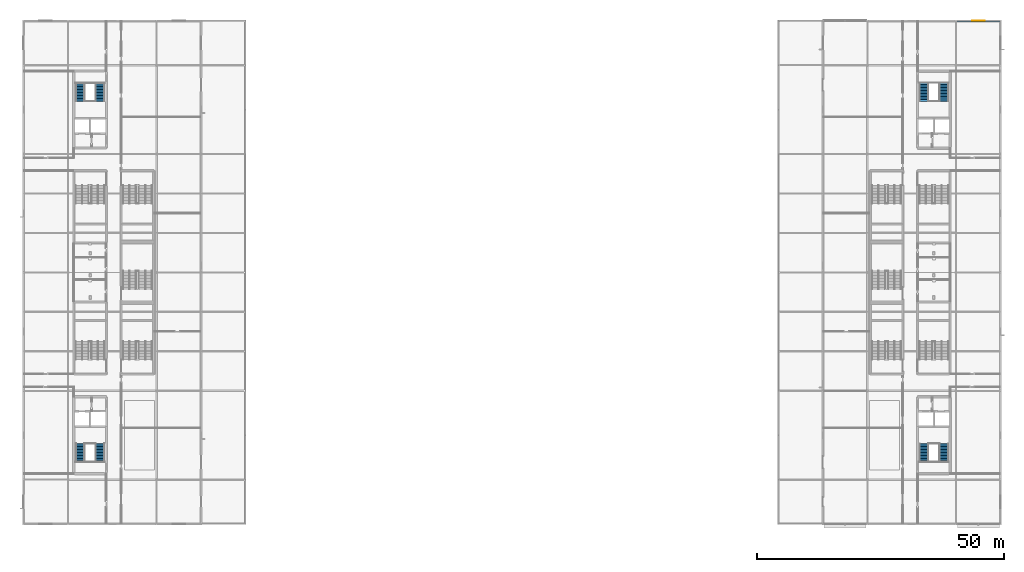
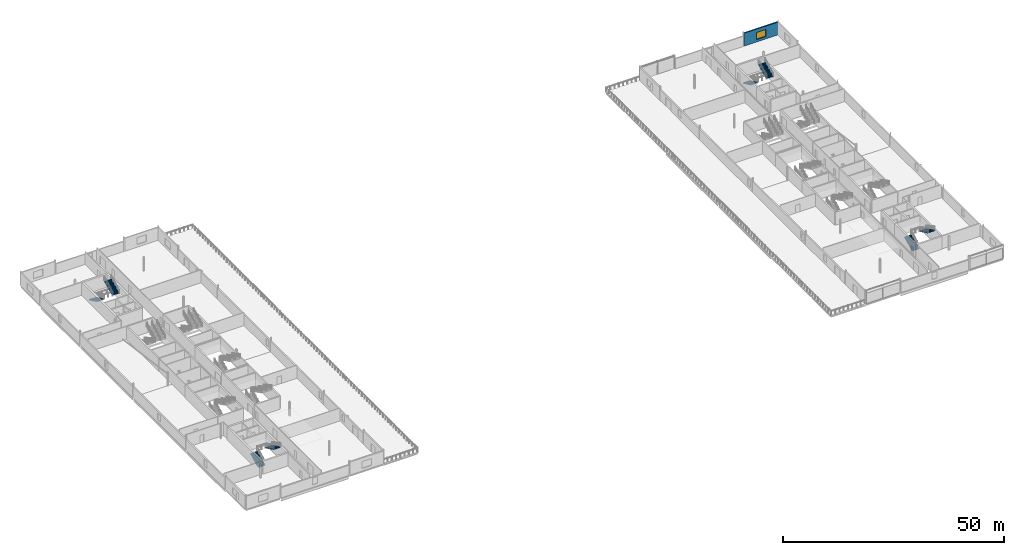
# One storey, part 34 of 55: 8 stair flights, 1 wall, 1 window, 1 opening, 4 elements without a shape of their own.
"""IFC4 building model written with IfcOpenShell, lengths in metres."""

from ifc_helpers import new_model, si_unit, direction, frame, frame_2d, origin, place, context, subcontext, project, spatial, polyline, rectangle, outline, extrude, material, layer, layer_set, type_object, element, fill, aggregate, save


model = new_model("IFC4")

# Units and contexts
model_context = context("Model", 3, precision=1e-05, world=origin(), true_north=direction((0.0, 1.0)))
body_context = subcontext(model_context, "Body", "Model", "MODEL_VIEW")
ifc_project = project(units=[si_unit("LENGTHUNIT", "METRE"), si_unit("AREAUNIT", "SQUARE_METRE"), si_unit("VOLUMEUNIT", "CUBIC_METRE"), si_unit("PLANEANGLEUNIT", "RADIAN"), si_unit("MASSUNIT", "GRAM", prefix="KILO")], contexts=[model_context])

# Site, building, storey
site_placement = place(None, origin())
site = spatial("IfcSite", under=ifc_project, at=site_placement, CompositionType="ELEMENT")
building_placement = place(site_placement, origin())
building = spatial("IfcBuilding", under=site, at=building_placement, Name="Kisiwana Market Hall", CompositionType="ELEMENT")
storey_placement = place(building_placement, frame((0.0, 0.0, 37.800048828125)))
storey = spatial("IfcBuildingStorey", under=building, at=storey_placement, Name="L08", CompositionType="ELEMENT", Elevation=37.800048828125)

# Wall, opening, window
ifc_material_1 = material(Name="Concrete C40/50 precast", Category="concrete")
ifc_layer = layer(ifc_material_1, 0.31494140625)
ifc_layer_set = layer_set([ifc_layer], Name="WL-EXT-315")
wall_type = type_object("IfcWallType", Name="WL-EXT-315", PredefinedType="STANDARD", material=ifc_layer_set)
wall_placement = place(storey_placement, frame((189.15380859375, 111.0, 0.0), z_axis=(0.0, 0.0, 1.0), x_axis=(1.0, 0.0, 0.0)))
wall = element("IfcWall", 1, at=wall_placement, inside=storey, type_object=wall_type, Name="Exterior wall W-2354", PredefinedType="STANDARD", context=body_context, shape_type="SweptSolid", body=[
    extrude(rectangle(XDim=8.731201171875, YDim=0.31494140625, at=frame_2d((4.36572265625, 0.0))), origin(), (0.0, 0.0, 1.0), 3.56494140625),
])
opening_placement = place(wall_placement, frame((3.115478515625, 0.0, 0.699951171875)))
opening = element("IfcOpeningElement", 2, at=opening_placement, cuts=wall, Name="Opening WN-17", PredefinedType="OPENING", context=body_context, shape_type="SweptSolid", body=[
    extrude(rectangle(XDim=2.5, YDim=1.89990234375, at=frame_2d((1.25, 0.949951171875))), frame((0.0, 0.16943359375, 0.0), z_axis=(0.0, -1.0, 0.0), x_axis=(1.0, 0.0, 0.0)), (0.0, 0.0, 1.0), 0.3388671875),
])
ifc_material_2 = material(Name="Double-glazed solar-control low-E IGU", Category="glass")
window_type = type_object("IfcWindowType", Name="WN-OFFB-2500x1900", PartitioningType="SINGLE_PANEL", PredefinedType="WINDOW", material=ifc_material_2)
window_placement = place(opening_placement, origin())
window = element("IfcWindow", 3, at=window_placement, inside=storey, type_object=window_type, Name="Exterior window WN-251", OverallHeight=1.89990234375, OverallWidth=2.5, PartitioningType="SINGLE_PANEL", PredefinedType="WINDOW", context=body_context, shape_type="SweptSolid", body=[
    extrude(rectangle(XDim=2.5, YDim=1.89990234375, at=frame_2d((1.25, 0.949951171875))), frame((0.0, 0.030029296875, 0.0), z_axis=(0.0, -1.0, 0.0), x_axis=(1.0, 0.0, 0.0)), (0.0, 0.0, 1.0), 0.06005859375),
])
fill(opening, window)

# Stair, stair flights
ifc_material_3 = material(Name="Concrete C32/40", Category="concrete")
stair_type = type_object("IfcStairType", Name="ST-TWR-3900", PredefinedType="TWO_STRAIGHT_RUN_STAIR", material=ifc_material_3)
stair_1_placement = place(storey_placement, origin())
stair_1 = element("IfcStair", 4, at=stair_1_placement, inside=storey, type_object=stair_type, Name="Escape stair ST-W2-L08", PredefinedType="TWO_STRAIGHT_RUN_STAIR")
ifc_material_4 = material(Name="Concrete C32/40", Category="concrete")
stair_flight_type = type_object("IfcStairFlightType", Name="SF-TWR-3900", PredefinedType="STRAIGHT", material=ifc_material_4)
stair_flight_1_placement = place(storey_placement, frame((11.5, 21.674560546875, 0.0), z_axis=(0.0, 0.0, 1.0), x_axis=(0.0, 1.0, 0.0)))
stair_flight_1 = element("IfcStairFlight", 5, at=stair_flight_1_placement, type_object=stair_flight_type, Name="ST-W2-L08 flight 1", NumberOfRisers=13, NumberOfTreads=12, PredefinedType="STRAIGHT", RiserHeight=0.15, TreadLength=0.305, context=body_context, shape_type="SweptSolid", body=[
    extrude(outline(polyline([(0.0, 0.0), (0.0, 0.14990234375), (0.304931640625, 0.14990234375), (0.304931640625, 0.300048828125), (0.610107421875, 0.300048828125), (0.610107421875, 0.449951171875), (0.9150390625, 0.449951171875), (0.9150390625, 0.60009765625), (1.219970703125, 0.60009765625), (1.219970703125, 0.75), (1.52490234375, 0.75), (1.52490234375, 0.89990234375), (1.830078125, 0.89990234375), (1.830078125, 1.050048828125), (2.135009765625, 1.050048828125), (2.135009765625, 1.199951171875), (2.43994140625, 1.199951171875), (2.43994140625, 1.35009765625), (2.7451171875, 1.35009765625), (2.7451171875, 1.5), (3.050048828125, 1.5), (3.050048828125, 1.64990234375), (3.35498046875, 1.64990234375), (3.35498046875, 1.800048828125), (3.659912109375, 1.800048828125), (3.659912109375, 1.949951171875), (3.659912109375, 1.599365234375), (0.40771484375, 0.0), (0.0, 0.0)])), frame((0.0, 0.925048828125, 0.0), z_axis=(0.0, -1.0, 0.0), x_axis=(1.0, 0.0, 0.0)), (0.0, 0.0, 1.0), 1.85009765625),
])
stair_flight_2_placement = place(storey_placement, frame((15.5, 25.33447265625, 1.949951171875), z_axis=(0.0, 0.0, 1.0), x_axis=(0.0, -1.0, 0.0)))
stair_flight_2 = element("IfcStairFlight", 6, at=stair_flight_2_placement, type_object=stair_flight_type, Name="ST-W2-L08 flight 2", NumberOfRisers=13, NumberOfTreads=12, PredefinedType="STRAIGHT", RiserHeight=0.15, TreadLength=0.305, context=body_context, shape_type="SweptSolid", body=[
    extrude(outline(polyline([(0.0, 0.0), (0.0, 0.14990234375), (0.304931640625, 0.14990234375), (0.304931640625, 0.300048828125), (0.610107421875, 0.300048828125), (0.610107421875, 0.449951171875), (0.9150390625, 0.449951171875), (0.9150390625, 0.60009765625), (1.219970703125, 0.60009765625), (1.219970703125, 0.75), (1.52490234375, 0.75), (1.52490234375, 0.89990234375), (1.830078125, 0.89990234375), (1.830078125, 1.050048828125), (2.135009765625, 1.050048828125), (2.135009765625, 1.199951171875), (2.43994140625, 1.199951171875), (2.43994140625, 1.35009765625), (2.7451171875, 1.35009765625), (2.7451171875, 1.5), (3.050048828125, 1.5), (3.050048828125, 1.64990234375), (3.35498046875, 1.64990234375), (3.35498046875, 1.800048828125), (3.659912109375, 1.800048828125), (3.659912109375, 1.949951171875), (3.659912109375, 1.599365234375), (0.40771484375, 0.0), (0.0, 0.0)])), frame((0.0, 0.925048828125, 0.0), z_axis=(0.0, -1.0, 0.0), x_axis=(1.0, 0.0, 0.0)), (0.0, 0.0, 1.0), 1.85009765625),
])
aggregate(stair_1, [stair_flight_1, stair_flight_2])

stair_2_placement = place(storey_placement, origin())
stair_2 = element("IfcStair", 7, at=stair_2_placement, inside=storey, type_object=stair_type, Name="Escape stair ST-W1-L08", PredefinedType="TWO_STRAIGHT_RUN_STAIR")
stair_flight_3_placement = place(storey_placement, frame((11.5, 98.325439453125, 0.0), z_axis=(0.0, 0.0, 1.0), x_axis=(0.0, -1.0, 0.0)))
stair_flight_3 = element("IfcStairFlight", 8, at=stair_flight_3_placement, type_object=stair_flight_type, Name="ST-W1-L08 flight 1", NumberOfRisers=13, NumberOfTreads=12, PredefinedType="STRAIGHT", RiserHeight=0.15, TreadLength=0.305, context=body_context, shape_type="SweptSolid", body=[
    extrude(outline(polyline([(0.0, 0.0), (0.0, 0.14990234375), (0.304931640625, 0.14990234375), (0.304931640625, 0.300048828125), (0.610107421875, 0.300048828125), (0.610107421875, 0.449951171875), (0.9150390625, 0.449951171875), (0.9150390625, 0.60009765625), (1.219970703125, 0.60009765625), (1.219970703125, 0.75), (1.52490234375, 0.75), (1.52490234375, 0.89990234375), (1.830078125, 0.89990234375), (1.830078125, 1.050048828125), (2.135009765625, 1.050048828125), (2.135009765625, 1.199951171875), (2.43994140625, 1.199951171875), (2.43994140625, 1.35009765625), (2.7451171875, 1.35009765625), (2.7451171875, 1.5), (3.050048828125, 1.5), (3.050048828125, 1.64990234375), (3.35498046875, 1.64990234375), (3.35498046875, 1.800048828125), (3.659912109375, 1.800048828125), (3.659912109375, 1.949951171875), (3.659912109375, 1.599365234375), (0.40771484375, 0.0), (0.0, 0.0)])), frame((0.0, 0.925048828125, 0.0), z_axis=(0.0, -1.0, 0.0), x_axis=(1.0, 0.0, 0.0)), (0.0, 0.0, 1.0), 1.85009765625),
])
stair_flight_4_placement = place(storey_placement, frame((15.5, 94.66552734375, 1.949951171875), z_axis=(0.0, 0.0, 1.0), x_axis=(0.0, 1.0, 0.0)))
stair_flight_4 = element("IfcStairFlight", 9, at=stair_flight_4_placement, type_object=stair_flight_type, Name="ST-W1-L08 flight 2", NumberOfRisers=13, NumberOfTreads=12, PredefinedType="STRAIGHT", RiserHeight=0.15, TreadLength=0.305, context=body_context, shape_type="SweptSolid", body=[
    extrude(outline(polyline([(0.0, 0.0), (0.0, 0.14990234375), (0.304931640625, 0.14990234375), (0.304931640625, 0.300048828125), (0.610107421875, 0.300048828125), (0.610107421875, 0.449951171875), (0.9150390625, 0.449951171875), (0.9150390625, 0.60009765625), (1.219970703125, 0.60009765625), (1.219970703125, 0.75), (1.52490234375, 0.75), (1.52490234375, 0.89990234375), (1.830078125, 0.89990234375), (1.830078125, 1.050048828125), (2.135009765625, 1.050048828125), (2.135009765625, 1.199951171875), (2.43994140625, 1.199951171875), (2.43994140625, 1.35009765625), (2.7451171875, 1.35009765625), (2.7451171875, 1.5), (3.050048828125, 1.5), (3.050048828125, 1.64990234375), (3.35498046875, 1.64990234375), (3.35498046875, 1.800048828125), (3.659912109375, 1.800048828125), (3.659912109375, 1.949951171875), (3.659912109375, 1.599365234375), (0.40771484375, 0.0), (0.0, 0.0)])), frame((0.0, 0.925048828125, 0.0), z_axis=(0.0, -1.0, 0.0), x_axis=(1.0, 0.0, 0.0)), (0.0, 0.0, 1.0), 1.85009765625),
])
aggregate(stair_2, [stair_flight_3, stair_flight_4])

stair_3_placement = place(storey_placement, origin())
stair_3 = element("IfcStair", 10, at=stair_3_placement, inside=storey, type_object=stair_type, Name="Escape stair ST-E2-L08", PredefinedType="TWO_STRAIGHT_RUN_STAIR")
stair_flight_5_placement = place(storey_placement, frame((182.47509765625, 21.6494140625, 0.0), z_axis=(0.0, 0.0, 1.0), x_axis=(0.0, 1.0, 0.0)))
stair_flight_5 = element("IfcStairFlight", 11, at=stair_flight_5_placement, type_object=stair_flight_type, Name="ST-E2-L08 flight 1", NumberOfRisers=13, NumberOfTreads=12, PredefinedType="STRAIGHT", RiserHeight=0.15, TreadLength=0.305, context=body_context, shape_type="SweptSolid", body=[
    extrude(outline(polyline([(0.0, 0.0), (0.0, 0.14990234375), (0.304931640625, 0.14990234375), (0.304931640625, 0.300048828125), (0.610107421875, 0.300048828125), (0.610107421875, 0.449951171875), (0.9150390625, 0.449951171875), (0.9150390625, 0.60009765625), (1.219970703125, 0.60009765625), (1.219970703125, 0.75), (1.52490234375, 0.75), (1.52490234375, 0.89990234375), (1.830078125, 0.89990234375), (1.830078125, 1.050048828125), (2.135009765625, 1.050048828125), (2.135009765625, 1.199951171875), (2.43994140625, 1.199951171875), (2.43994140625, 1.35009765625), (2.7451171875, 1.35009765625), (2.7451171875, 1.5), (3.050048828125, 1.5), (3.050048828125, 1.64990234375), (3.35498046875, 1.64990234375), (3.35498046875, 1.800048828125), (3.659912109375, 1.800048828125), (3.659912109375, 1.949951171875), (3.659912109375, 1.599365234375), (0.40771484375, 0.0), (0.0, 0.0)])), frame((0.0, 0.925048828125, 0.0), z_axis=(0.0, -1.0, 0.0), x_axis=(1.0, 0.0, 0.0)), (0.0, 0.0, 1.0), 1.85009765625),
])
stair_flight_6_placement = place(storey_placement, frame((186.52490234375, 25.3095703125, 1.949951171875), z_axis=(0.0, 0.0, 1.0), x_axis=(0.0, -1.0, 0.0)))
stair_flight_6 = element("IfcStairFlight", 12, at=stair_flight_6_placement, type_object=stair_flight_type, Name="ST-E2-L08 flight 2", NumberOfRisers=13, NumberOfTreads=12, PredefinedType="STRAIGHT", RiserHeight=0.15, TreadLength=0.305, context=body_context, shape_type="SweptSolid", body=[
    extrude(outline(polyline([(0.0, 0.0), (0.0, 0.14990234375), (0.304931640625, 0.14990234375), (0.304931640625, 0.300048828125), (0.610107421875, 0.300048828125), (0.610107421875, 0.449951171875), (0.9150390625, 0.449951171875), (0.9150390625, 0.60009765625), (1.219970703125, 0.60009765625), (1.219970703125, 0.75), (1.52490234375, 0.75), (1.52490234375, 0.89990234375), (1.830078125, 0.89990234375), (1.830078125, 1.050048828125), (2.135009765625, 1.050048828125), (2.135009765625, 1.199951171875), (2.43994140625, 1.199951171875), (2.43994140625, 1.35009765625), (2.7451171875, 1.35009765625), (2.7451171875, 1.5), (3.050048828125, 1.5), (3.050048828125, 1.64990234375), (3.35498046875, 1.64990234375), (3.35498046875, 1.800048828125), (3.659912109375, 1.800048828125), (3.659912109375, 1.949951171875), (3.659912109375, 1.599365234375), (0.40771484375, 0.0), (0.0, 0.0)])), frame((0.0, 0.925048828125, 0.0), z_axis=(0.0, -1.0, 0.0), x_axis=(1.0, 0.0, 0.0)), (0.0, 0.0, 1.0), 1.85009765625),
])
aggregate(stair_3, [stair_flight_5, stair_flight_6])

stair_4_placement = place(storey_placement, origin())
stair_4 = element("IfcStair", 13, at=stair_4_placement, inside=storey, type_object=stair_type, Name="Escape stair ST-E1-L08", PredefinedType="TWO_STRAIGHT_RUN_STAIR")
stair_flight_7_placement = place(storey_placement, frame((182.47509765625, 98.3505859375, 0.0), z_axis=(0.0, 0.0, 1.0), x_axis=(0.0, -1.0, 0.0)))
stair_flight_7 = element("IfcStairFlight", 14, at=stair_flight_7_placement, type_object=stair_flight_type, Name="ST-E1-L08 flight 1", NumberOfRisers=13, NumberOfTreads=12, PredefinedType="STRAIGHT", RiserHeight=0.15, TreadLength=0.305, context=body_context, shape_type="SweptSolid", body=[
    extrude(outline(polyline([(0.0, 0.0), (0.0, 0.14990234375), (0.304931640625, 0.14990234375), (0.304931640625, 0.300048828125), (0.610107421875, 0.300048828125), (0.610107421875, 0.449951171875), (0.9150390625, 0.449951171875), (0.9150390625, 0.60009765625), (1.219970703125, 0.60009765625), (1.219970703125, 0.75), (1.52490234375, 0.75), (1.52490234375, 0.89990234375), (1.830078125, 0.89990234375), (1.830078125, 1.050048828125), (2.135009765625, 1.050048828125), (2.135009765625, 1.199951171875), (2.43994140625, 1.199951171875), (2.43994140625, 1.35009765625), (2.7451171875, 1.35009765625), (2.7451171875, 1.5), (3.050048828125, 1.5), (3.050048828125, 1.64990234375), (3.35498046875, 1.64990234375), (3.35498046875, 1.800048828125), (3.659912109375, 1.800048828125), (3.659912109375, 1.949951171875), (3.659912109375, 1.599365234375), (0.40771484375, 0.0), (0.0, 0.0)])), frame((0.0, 0.925048828125, 0.0), z_axis=(0.0, -1.0, 0.0), x_axis=(1.0, 0.0, 0.0)), (0.0, 0.0, 1.0), 1.85009765625),
])
stair_flight_8_placement = place(storey_placement, frame((186.52490234375, 94.6904296875, 1.949951171875), z_axis=(0.0, 0.0, 1.0), x_axis=(0.0, 1.0, 0.0)))
stair_flight_8 = element("IfcStairFlight", 15, at=stair_flight_8_placement, type_object=stair_flight_type, Name="ST-E1-L08 flight 2", NumberOfRisers=13, NumberOfTreads=12, PredefinedType="STRAIGHT", RiserHeight=0.15, TreadLength=0.305, context=body_context, shape_type="SweptSolid", body=[
    extrude(outline(polyline([(0.0, 0.0), (0.0, 0.14990234375), (0.304931640625, 0.14990234375), (0.304931640625, 0.300048828125), (0.610107421875, 0.300048828125), (0.610107421875, 0.449951171875), (0.9150390625, 0.449951171875), (0.9150390625, 0.60009765625), (1.219970703125, 0.60009765625), (1.219970703125, 0.75), (1.52490234375, 0.75), (1.52490234375, 0.89990234375), (1.830078125, 0.89990234375), (1.830078125, 1.050048828125), (2.135009765625, 1.050048828125), (2.135009765625, 1.199951171875), (2.43994140625, 1.199951171875), (2.43994140625, 1.35009765625), (2.7451171875, 1.35009765625), (2.7451171875, 1.5), (3.050048828125, 1.5), (3.050048828125, 1.64990234375), (3.35498046875, 1.64990234375), (3.35498046875, 1.800048828125), (3.659912109375, 1.800048828125), (3.659912109375, 1.949951171875), (3.659912109375, 1.599365234375), (0.40771484375, 0.0), (0.0, 0.0)])), frame((0.0, 0.925048828125, 0.0), z_axis=(0.0, -1.0, 0.0), x_axis=(1.0, 0.0, 0.0)), (0.0, 0.0, 1.0), 1.85009765625),
])
aggregate(stair_4, [stair_flight_7, stair_flight_8])

save(model, "model.ifc")
